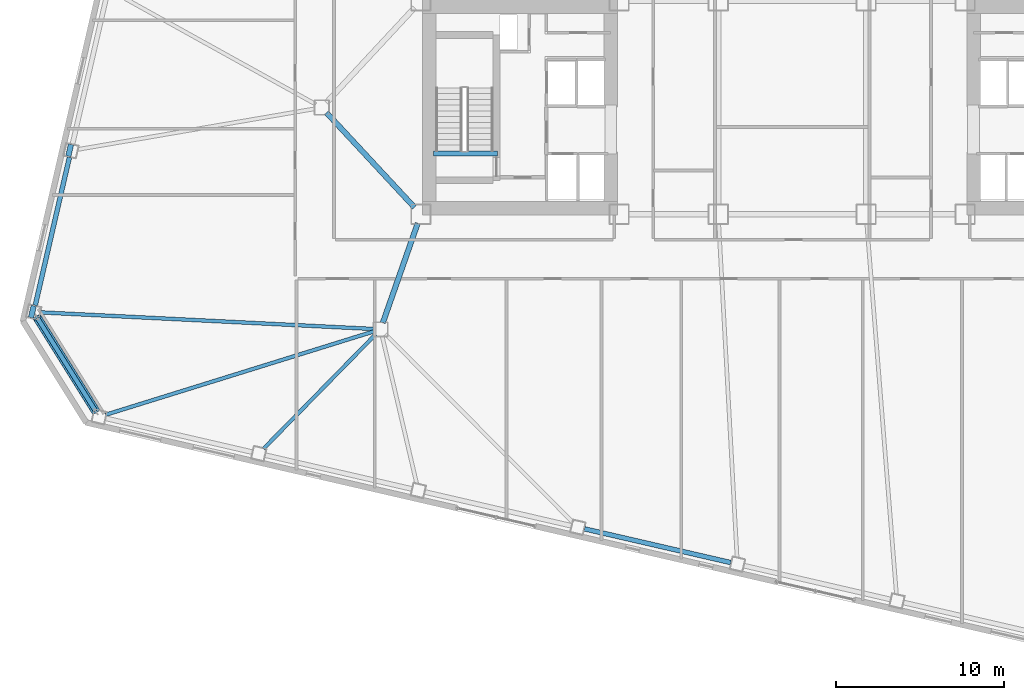
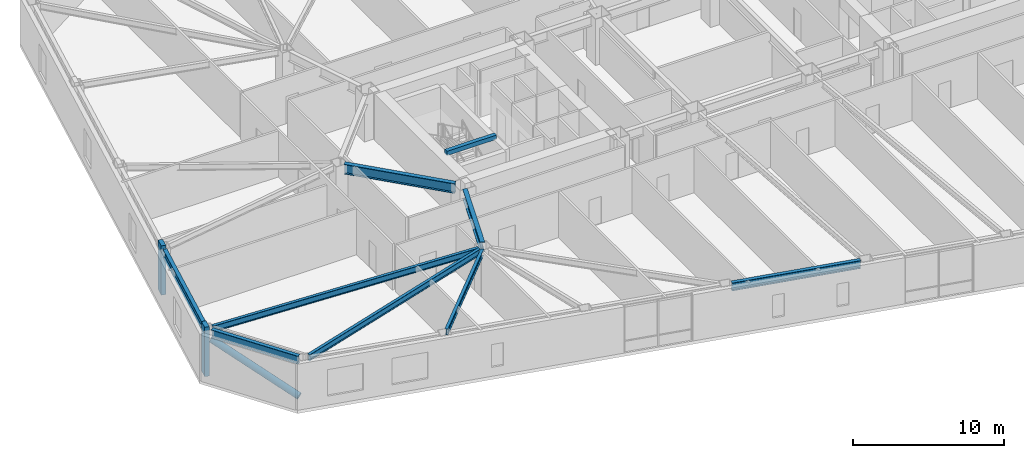
# One storey, part 3 of 19: 9 beams, 3 members.
"""IFC4 building model written with IfcOpenShell, lengths in metres."""

from ifc_helpers import new_model, si_unit, direction, frame, origin, origin_2d, place, context, subcontext, project, spatial, rectangle, hollow_circle, i_section, extrude, material, material_profile, profile_set, type_object, element, save


model = new_model("IFC4")

# Units and contexts
model_context = context("Model", 3, precision=1e-05, world=origin(), true_north=direction((0.0, 1.0)))
body_context = subcontext(model_context, "Body", "Model", "MODEL_VIEW")
ifc_project = project(units=[si_unit("LENGTHUNIT", "METRE"), si_unit("AREAUNIT", "SQUARE_METRE"), si_unit("VOLUMEUNIT", "CUBIC_METRE"), si_unit("PLANEANGLEUNIT", "RADIAN"), si_unit("MASSUNIT", "GRAM", prefix="KILO")], contexts=[model_context])

# Site, building, storey
site_placement = place(None, origin())
site = spatial("IfcSite", under=ifc_project, at=site_placement, CompositionType="ELEMENT")
building_placement = place(site_placement, origin())
building = spatial("IfcBuilding", under=site, at=building_placement, Name="Tavrogorsk Clinical Tower", CompositionType="ELEMENT")
storey_placement = place(building_placement, frame((0.0, 0.0, 75.39990234375)))
storey = spatial("IfcBuildingStorey", under=building, at=storey_placement, Name="L16", CompositionType="ELEMENT", Elevation=75.39990234375)

# Member
ifc_material_1 = material(Name="Structural steel S440", Category="steel")
ifc_material_profile_1 = material_profile(ifc_material_1, hollow_circle(Radius=0.25390625, WallThickness=0.02001953125, at=origin_2d()), Name="CHS-508x20")
ifc_profile_set_1 = profile_set([ifc_material_profile_1], Name="Structural steel S440")
member_type_1 = type_object("IfcMemberType", Name="ExoBrace_CHS508", PredefinedType="BRACE", material=ifc_profile_set_1)
member_placement = place(storey_placement, frame((-41.453857421875, -18.081787109375, 0.442626953125), z_axis=(-0.496582474856, 0.794677778576, 0.349131886118), x_axis=(-0.84804201203, -0.529929000746, 0.0)))
element("IfcMember", 1, at=member_placement, inside=storey, type_object=member_type_1, Name="L16 Corner Exoskeleton Brace W5-S1", PredefinedType="BRACE", context=body_context, shape_type="SweptSolid", body=[
    extrude(hollow_circle(Radius=0.25390625, WallThickness=0.02001953125, at=origin_2d()), origin(), (0.0, 0.0, 1.0), 7.031982421875),
])

# Beams
ifc_material_2 = material(Name="Structural steel S355", Category="steel")
ifc_material_profile_2 = material_profile(ifc_material_2, i_section(OverallWidth=0.219970703125, OverallDepth=0.5, WebThickness=0.012939453125, FlangeThickness=0.02001953125, at=origin_2d()), Name="B-500x220x13x20")
ifc_profile_set_2 = profile_set([ifc_material_profile_2], Name="Structural steel S355")
beam_type_1 = type_object("IfcBeamType", Name="FloorBeam_B500", PredefinedType="BEAM", material=ifc_profile_set_2)
beam_1_placement = place(storey_placement, frame((-24.8916015625, -13.32177734375, 3.489990234375), z_axis=(-0.954946638684, -0.296777555193, 0.0), x_axis=(0.296777555193, -0.954946638684, 0.0)))
element("IfcBeam", 2, at=beam_1_placement, inside=storey, type_object=beam_type_1, Name="L16 Radial Floor Beam S1", PredefinedType="BEAM", context=body_context, shape_type="SweptSolid", body=[
    extrude(i_section(OverallWidth=0.219970703125, OverallDepth=0.5, WebThickness=0.012939453125, FlangeThickness=0.02001953125, at=origin_2d()), origin(), (0.0, 0.0, 1.0), 16.723388671875),
])
beam_2_placement = place(storey_placement, frame((-24.787109375, -13.492919921875, 3.489990234375), z_axis=(-0.699997226081, -0.714145561828, 0.0), x_axis=(0.714145561828, -0.699997226081, 0.0)))
element("IfcBeam", 3, at=beam_2_placement, inside=storey, type_object=beam_type_1, Name="L16 Radial Floor Beam S2", PredefinedType="BEAM", context=body_context, shape_type="SweptSolid", body=[
    extrude(i_section(OverallWidth=0.219970703125, OverallDepth=0.5, WebThickness=0.012939453125, FlangeThickness=0.02001953125, at=origin_2d()), origin(), (0.0, 0.0, 1.0), 9.54248046875),
])
beam_3_placement = place(storey_placement, frame((-24.909423828125, -13.179443359375, 3.489990234375), z_axis=(-0.998757515428, 0.049833978136, 0.0), x_axis=(-0.049833978136, -0.998757515428, 0.0)))
element("IfcBeam", 4, at=beam_3_placement, inside=storey, type_object=beam_type_1, Name="L16 Radial Floor Beam W5", PredefinedType="BEAM", context=body_context, shape_type="SweptSolid", body=[
    extrude(i_section(OverallWidth=0.219970703125, OverallDepth=0.5, WebThickness=0.012939453125, FlangeThickness=0.02001953125, at=origin_2d()), origin(), (0.0, 0.0, 1.0), 19.85595703125),
])

# Members
ifc_material_3 = material(Name="Precast concrete B45 with limestone cladding", Category="masonry")
ifc_material_profile_3 = material_profile(ifc_material_3, rectangle(XDim=0.320068359375, YDim=0.719970703125, at=origin_2d()), Name="LIMESTONE-FIN-320x720")
ifc_profile_set_3 = profile_set([ifc_material_profile_3], Name="Precast concrete B45 with limestone cladding")
member_type_2 = type_object("IfcMemberType", Name="LimestonePleatFin_320x720", PredefinedType="USERDEFINED", material=ifc_profile_set_3)
for number, where, z_axis, x_axis, name in (
    (5, (-43.008056640625, -2.544189453125, 0.0), (0.0, 0.0, 1.0), (0.974370064785, -0.224951054344, 0.0), "L16 W Pleated Stone Fin 3"),
    (6, (-45.226318359375, -12.151611328125, 0.0), (0.0, 0.0, 1.0), (0.974370064785, -0.224951054344, 0.0), "L16 W Pleated Stone Fin 4"),
):
    element("IfcMember", number, at=place(storey_placement, frame(where, z_axis=z_axis, x_axis=x_axis)), inside=storey, type_object=member_type_2, Name=name, ObjectType="FIN", PredefinedType="USERDEFINED", context=body_context, shape_type="SweptSolid", body=[
        extrude(rectangle(XDim=0.320068359375, YDim=0.719970703125, at=origin_2d()), origin(), (0.0, 0.0, 1.0), 4.0),
    ])

# Beams
ifc_material_4 = material(Name="Structural steel S390", Category="steel")
ifc_material_profile_4 = material_profile(ifc_material_4, i_section(OverallWidth=0.320068359375, OverallDepth=0.800048828125, WebThickness=0.02001953125, FlangeThickness=0.033935546875, at=origin_2d()), Name="B-800x320x20x34")
ifc_profile_set_4 = profile_set([ifc_material_profile_4], Name="Structural steel S390")
beam_type_2 = type_object("IfcBeamType", Name="PrimaryGirder_B800", PredefinedType="USERDEFINED", material=ifc_profile_set_4)
beam_4_placement = place(storey_placement, frame((-24.364501953125, -12.81298828125, 3.340087890625), z_axis=(0.330668611543, 0.943746930771, 0.0), x_axis=(-0.943746930771, 0.330668611543, 0.0)))
element("IfcBeam", 7, at=beam_4_placement, inside=storey, type_object=beam_type_2, Name="L16 Spine Link Girder OPG-1", ObjectType="GIRDER", PredefinedType="USERDEFINED", context=body_context, shape_type="SweptSolid", body=[
    extrude(i_section(OverallWidth=0.320068359375, OverallDepth=0.800048828125, WebThickness=0.02001953125, FlangeThickness=0.033935546875, at=origin_2d()), origin(), (0.0, 0.0, 1.0), 6.288330078125),
])
beam_5_placement = place(storey_placement, frame((-27.720947265625, -0.30029296875, 3.340087890625), z_axis=(0.680671250221, -0.732589004233, 0.0), x_axis=(0.732589004233, 0.680671250221, 0.0)))
element("IfcBeam", 8, at=beam_5_placement, inside=storey, type_object=beam_type_2, Name="L16 Spine Link Girder OPG-5", ObjectType="GIRDER", PredefinedType="USERDEFINED", context=body_context, shape_type="SweptSolid", body=[
    extrude(i_section(OverallWidth=0.320068359375, OverallDepth=0.800048828125, WebThickness=0.02001953125, FlangeThickness=0.033935546875, at=origin_2d()), origin(), (0.0, 0.0, 1.0), 7.697998046875),
])
ifc_material_5 = material(Name="Structural steel S390", Category="steel")
ifc_material_profile_5 = material_profile(ifc_material_5, i_section(OverallWidth=0.280029296875, OverallDepth=0.64990234375, WebThickness=0.01611328125, FlangeThickness=0.02490234375, at=origin_2d()), Name="B-650x280x16x25")
ifc_profile_set_5 = profile_set([ifc_material_profile_5], Name="Structural steel S390")
beam_type_3 = type_object("IfcBeamType", Name="SpandrelBeam_B650", PredefinedType="SPANDREL", material=ifc_profile_set_5)
beam_6_placement = place(storey_placement, frame((-12.357666015625, -25.07666015625, 3.4150390625), z_axis=(0.974372766602, -0.224939351168, 0.0), x_axis=(0.224939351168, 0.974372766602, 0.0)))
element("IfcBeam", 9, at=beam_6_placement, inside=storey, type_object=beam_type_3, Name="L16 Perimeter Spandrel S4-S5", PredefinedType="SPANDREL", context=body_context, shape_type="SweptSolid", body=[
    extrude(i_section(OverallWidth=0.280029296875, OverallDepth=0.64990234375, WebThickness=0.01611328125, FlangeThickness=0.02490234375, at=origin_2d()), origin(), (0.0, 0.0, 1.0), 8.9326171875),
])
beam_7_placement = place(storey_placement, frame((-43.02197265625, -2.959716796875, 3.4150390625), z_axis=(-0.224971881043, -0.974365256328, 0.0), x_axis=(0.974365256328, -0.224971881043, 0.0)))
element("IfcBeam", 10, at=beam_7_placement, inside=storey, type_object=beam_type_3, Name="L16 Perimeter Spandrel W4-W5", PredefinedType="SPANDREL", context=body_context, shape_type="SweptSolid", body=[
    extrude(i_section(OverallWidth=0.280029296875, OverallDepth=0.64990234375, WebThickness=0.01611328125, FlangeThickness=0.02490234375, at=origin_2d()), origin(), (0.0, 0.0, 1.0), 9.044189453125),
])
beam_8_placement = place(storey_placement, frame((-44.93212890625, -12.515380859375, 3.4150390625), z_axis=(0.529908311255, -0.848054940238, 0.0), x_axis=(0.848054940238, 0.529908311255, 0.0)))
element("IfcBeam", 11, at=beam_8_placement, inside=storey, type_object=beam_type_3, Name="L16 Perimeter Spandrel W5-S1", PredefinedType="SPANDREL", context=body_context, shape_type="SweptSolid", body=[
    extrude(i_section(OverallWidth=0.280029296875, OverallDepth=0.64990234375, WebThickness=0.01611328125, FlangeThickness=0.02490234375, at=origin_2d()), origin(), (0.0, 0.0, 1.0), 6.5380859375),
])
ifc_material_6 = material(Name="Concrete B60", Category="concrete")
ifc_material_profile_6 = material_profile(ifc_material_6, rectangle(XDim=0.300048828125, YDim=0.35009765625, at=origin_2d()), Name="RC-SHB-300x350")
ifc_profile_set_6 = profile_set([ifc_material_profile_6], Name="Concrete B60")
beam_type_4 = type_object("IfcBeamType", Name="StairHeaderBeam_RC300x350", PredefinedType="BEAM", material=ifc_profile_set_6)
beam_9_placement = place(storey_placement, frame((-21.35009765625, -2.719970703125, 3.8251953125), z_axis=(1.0, 0.0, 0.0), x_axis=(0.0, 1.0, 0.0)))
element("IfcBeam", 12, at=beam_9_placement, inside=storey, type_object=beam_type_4, Name="L17 ST-W Landing Header Beam", PredefinedType="BEAM", context=body_context, shape_type="SweptSolid", body=[
    extrude(rectangle(XDim=0.300048828125, YDim=0.35009765625, at=origin_2d()), origin(), (0.0, 0.0, 1.0), 3.800048828125),
])

save(model, "model.ifc")
